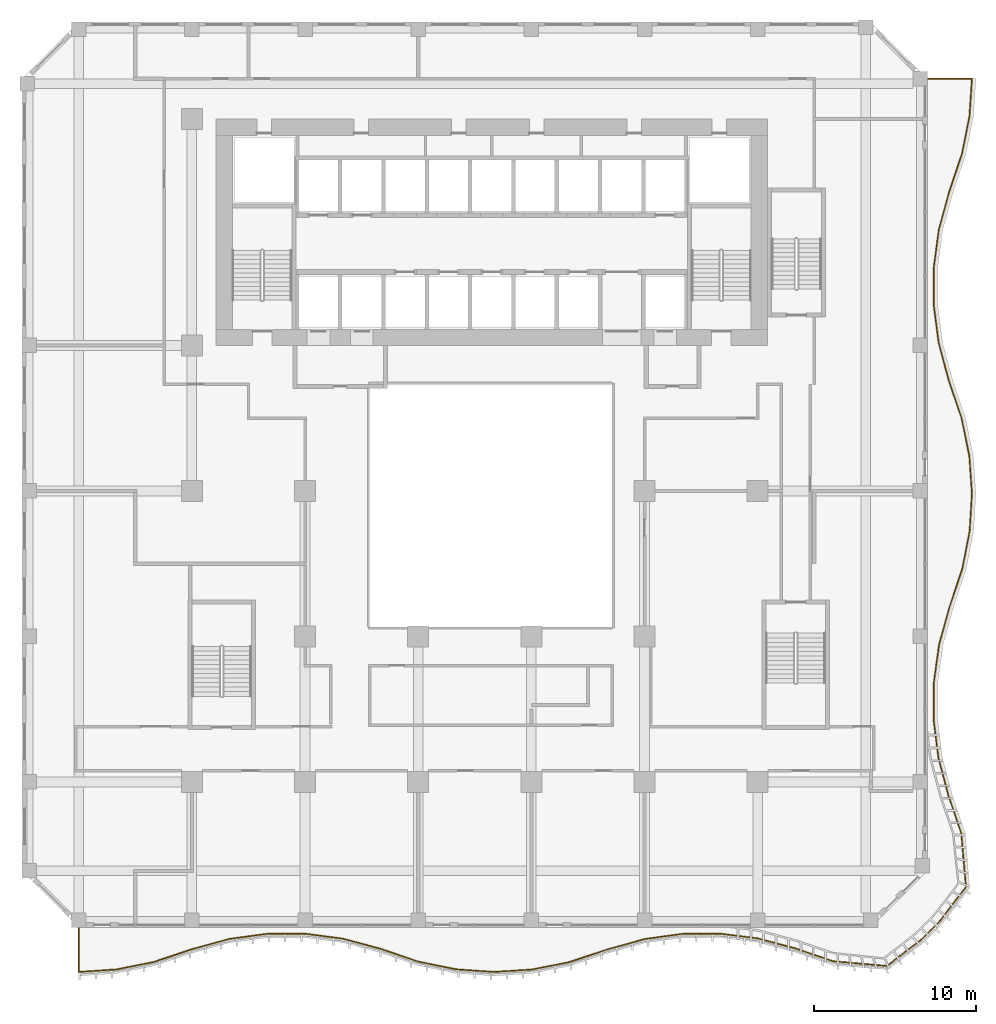
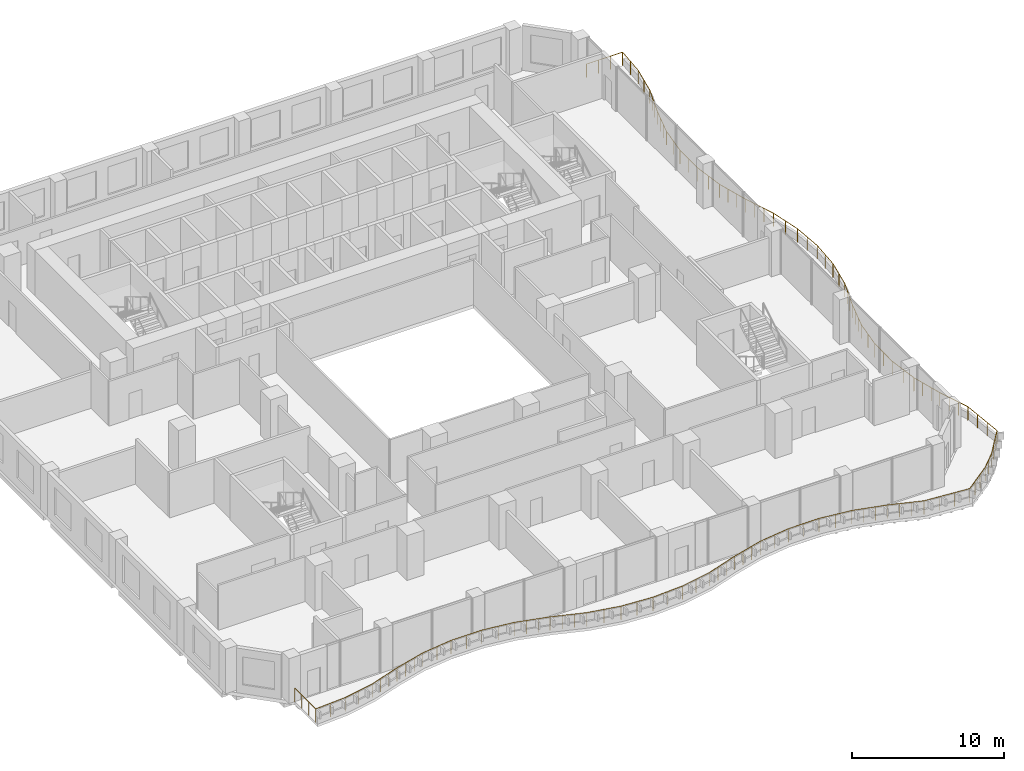
# One storey, part 21 of 23: 1 railing.
"""IFC4 building model written with IfcOpenShell, lengths in metres."""

from ifc_helpers import new_model, si_unit, direction, frame, origin, origin_2d, place, context, subcontext, project, spatial, circle, extrude, material, type_object, element, save


model = new_model("IFC4")

# Units and contexts
model_context = context("Model", 3, precision=1e-05, world=origin(), true_north=direction((0.0, 1.0)))
body_context = subcontext(model_context, "Body", "Model", "MODEL_VIEW")
ifc_project = project(units=[si_unit("LENGTHUNIT", "METRE"), si_unit("AREAUNIT", "SQUARE_METRE"), si_unit("VOLUMEUNIT", "CUBIC_METRE"), si_unit("PLANEANGLEUNIT", "RADIAN"), si_unit("MASSUNIT", "GRAM", prefix="KILO")], contexts=[model_context])

# Site, building, storey
site_placement = place(None, origin())
site = spatial("IfcSite", under=ifc_project, at=site_placement, CompositionType="ELEMENT")
building_placement = place(site_placement, origin())
building = spatial("IfcBuilding", under=site, at=building_placement, Name="Kilnfold Tower and Market Hall", CompositionType="ELEMENT")
storey_placement = place(building_placement, frame((0.0, 0.0, 55.0)))
storey = spatial("IfcBuildingStorey", under=building, at=storey_placement, Name="L12", CompositionType="ELEMENT", Elevation=55.0)

# Railing
ifc_material = material(Name="Stainless steel and laminated glass", Category="steel")
railing_type = type_object("IfcRailingType", Name="GUARD 1100", PredefinedType="GUARDRAIL", material=ifc_material)
railing_placement = place(storey_placement, frame((-24.5, -28.0, 0.0)))
element("IfcRailing", 1, at=railing_placement, inside=storey, type_object=railing_type, Name="Guard balcony L12", PredefinedType="GUARDRAIL", context=body_context, shape_type="SweptSolid", body=[
    extrude(circle(Radius=0.02490234375, at=origin_2d()), frame((0.0, 0.0, 1.0751953125), z_axis=(0.0, -1.0, 0.0), x_axis=(1.0, 0.0, 0.0)), (0.0, 0.0, 1.0), 2.75),
    extrude(circle(Radius=0.02490234375, at=origin_2d()), frame((0.0, -2.75, 1.0751953125), z_axis=(0.997847999073, 0.065569587048, 0.0), x_axis=(-0.065569587048, 0.997847999073, 0.0)), (0.0, 0.0, 1.0), 2.33837890625),
    extrude(circle(Radius=0.02490234375, at=origin_2d()), frame((2.333251953125, -2.5966796875, 1.0751953125), z_axis=(0.980513543113, 0.196451499797, 0.0), x_axis=(-0.196451499797, 0.980513543113, 0.0)), (0.0, 0.0, 1.0), 2.3798828125),
    extrude(circle(Radius=0.02490234375, at=origin_2d()), frame((4.666748046875, -2.129150390625, 1.0751953125), z_axis=(0.947566979947, 0.319557222598, 0.0), x_axis=(-0.319557222598, 0.947566979947, 0.0)), (0.0, 0.0, 1.0), 2.46240234375),
    extrude(circle(Radius=0.02490234375, at=origin_2d()), frame((7.0, -1.34228515625, 1.0751953125), z_axis=(0.964518860934, 0.264013952098, 0.0), x_axis=(-0.264013952098, 0.964518860934, 0.0)), (0.0, 0.0, 1.0), 2.419189453125),
    extrude(circle(Radius=0.02490234375, at=origin_2d()), frame((9.333251953125, -0.70361328125, 1.0751953125), z_axis=(0.991110687467, 0.133039863153, 0.0), x_axis=(-0.133039863153, 0.991110687467, 0.0)), (0.0, 0.0, 1.0), 2.3544921875),
    extrude(circle(Radius=0.02490234375, at=origin_2d()), frame((11.666748046875, -0.390380859375, 1.0751953125), z_axis=(0.999998226339, 0.001883432884, 0.0), x_axis=(-0.001883432884, 0.999998226339, 0.0)), (0.0, 0.0, 1.0), 2.333251953125),
    extrude(circle(Radius=0.02490234375, at=origin_2d()), frame((14.0, -0.385986328125, 1.0751953125), z_axis=(0.991647789279, -0.128975431838, 0.0), x_axis=(0.128975431838, 0.991647789279, 0.0)), (0.0, 0.0, 1.0), 2.352783203125),
    extrude(circle(Radius=0.02490234375, at=origin_2d()), frame((16.333251953125, -0.689453125, 1.0751953125), z_axis=(0.965598198848, -0.260038686319, 0.0), x_axis=(0.260038686319, 0.965598198848, 0.0)), (0.0, 0.0, 1.0), 2.416748046875),
    extrude(circle(Radius=0.02490234375, at=origin_2d()), frame((18.666748046875, -1.31787109375, 1.0751953125), z_axis=(0.94693508606, -0.321424863365, 0.0), x_axis=(0.321424863365, 0.94693508606, 0.0)), (0.0, 0.0, 1.0), 2.464111328125),
    extrude(circle(Radius=0.02490234375, at=origin_2d()), frame((21.0, -2.10986328125, 1.0751953125), z_axis=(0.979691597801, -0.200510282024, 0.0), x_axis=(0.200510282024, 0.979691597801, 0.0)), (0.0, 0.0, 1.0), 2.381591796875),
    extrude(circle(Radius=0.02490234375, at=origin_2d()), frame((23.333251953125, -2.58740234375, 1.0751953125), z_axis=(0.99758116384, -0.069511305202, 0.0), x_axis=(0.069511305202, 0.99758116384, 0.0)), (0.0, 0.0, 1.0), 2.339111328125),
    extrude(circle(Radius=0.02490234375, at=origin_2d()), frame((25.666748046875, -2.75, 1.0751953125), z_axis=(0.998099833602, 0.061617547538, 0.0), x_axis=(-0.061617547538, 0.998099833602, 0.0)), (0.0, 0.0, 1.0), 2.337646484375),
    extrude(circle(Radius=0.02490234375, at=origin_2d()), frame((28.0, -2.60595703125, 1.0751953125), z_axis=(0.981292835756, 0.192521091037, 0.0), x_axis=(-0.192521091037, 0.981292835756, 0.0)), (0.0, 0.0, 1.0), 2.377685546875),
    extrude(circle(Radius=0.02490234375, at=origin_2d()), frame((30.333251953125, -2.148193359375, 1.0751953125), z_axis=(0.9482956499, 0.317388343171, 0.0), x_axis=(-0.317388343171, 0.9482956499, 0.0)), (0.0, 0.0, 1.0), 2.460693359375),
    extrude(circle(Radius=0.02490234375, at=origin_2d()), frame((32.666748046875, -1.3671875, 1.0751953125), z_axis=(0.963406621709, 0.268044177789, 0.0), x_axis=(-0.268044177789, 0.963406621709, 0.0)), (0.0, 0.0, 1.0), 2.421875),
    extrude(circle(Radius=0.02490234375, at=origin_2d()), frame((35.0, -0.718017578125, 1.0751953125), z_axis=(0.990581902319, 0.136921491364, 0.0), x_axis=(-0.136921491364, 0.990581902319, 0.0)), (0.0, 0.0, 1.0), 2.35546875),
    extrude(circle(Radius=0.02490234375, at=origin_2d()), frame((37.333251953125, -0.3955078125, 1.0751953125), z_axis=(0.999982218267, 0.005963484666, 0.0), x_axis=(-0.005963484666, 0.999982218267, 0.0)), (0.0, 0.0, 1.0), 2.33349609375),
    extrude(circle(Radius=0.02490234375, at=origin_2d()), frame((39.666748046875, -0.381591796875, 1.0751953125), z_axis=(0.992157627723, -0.124992966807, 0.0), x_axis=(0.124992966807, 0.992157627723, 0.0)), (0.0, 0.0, 1.0), 2.351806640625),
    extrude(circle(Radius=0.02490234375, at=origin_2d()), frame((42.0, -0.675537109375, 1.0751953125), z_axis=(0.966650012662, -0.256101060172, 0.0), x_axis=(0.256101060172, 0.966650012662, 0.0)), (0.0, 0.0, 1.0), 2.413818359375),
    extrude(circle(Radius=0.02490234375, at=origin_2d()), frame((44.333251953125, -1.293701171875, 1.0751953125), z_axis=(0.946401541537, -0.3229924491, 0.0), x_axis=(0.3229924491, 0.946401541537, 0.0)), (0.0, 0.0, 1.0), 2.465576171875),
    extrude(circle(Radius=0.02490234375, at=origin_2d()), frame((46.666748046875, -2.090087890625, 1.0751953125), z_axis=(0.996172933534, -0.087404156042, 0.0), x_axis=(0.087404156042, 0.996172933534, 0.0)), (0.0, 0.0, 1.0), 3.332275390625),
    extrude(circle(Radius=0.02490234375, at=origin_2d()), frame((49.986328125, -2.38134765625, 1.0751953125), z_axis=(0.793922461341, 0.608019017283, 0.0), x_axis=(-0.608019017283, 0.793922461341, 0.0)), (0.0, 0.0, 1.0), 2.659423828125),
    extrude(circle(Radius=0.02490234375, at=origin_2d()), frame((52.09765625, -0.764404296875, 1.0751953125), z_axis=(0.707106781187, 0.707106781187, 0.0), x_axis=(-0.707106781187, 0.707106781187, 0.0)), (0.0, 0.0, 1.0), 1.650146484375),
    extrude(circle(Radius=0.02490234375, at=origin_2d()), frame((53.264404296875, 0.40234375, 1.0751953125), z_axis=(0.608019017283, 0.793922461341, 0.0), x_axis=(-0.793922461341, 0.608019017283, 0.0)), (0.0, 0.0, 1.0), 2.659423828125),
    extrude(circle(Radius=0.02490234375, at=origin_2d()), frame((54.88134765625, 2.513671875, 1.0751953125), z_axis=(-0.087404156042, 0.996172933534, 0.0), x_axis=(-0.996172933534, -0.087404156042, 0.0)), (0.0, 0.0, 1.0), 3.332275390625),
    extrude(circle(Radius=0.02490234375, at=origin_2d()), frame((54.590087890625, 5.833251953125, 1.0751953125), z_axis=(-0.3229924491, 0.946401541537, 0.0), x_axis=(-0.946401541537, -0.3229924491, 0.0)), (0.0, 0.0, 1.0), 2.465576171875),
    extrude(circle(Radius=0.02490234375, at=origin_2d()), frame((53.793701171875, 8.166748046875, 1.0751953125), z_axis=(-0.256101060172, 0.966650012662, 0.0), x_axis=(-0.966650012662, -0.256101060172, 0.0)), (0.0, 0.0, 1.0), 2.413818359375),
    extrude(circle(Radius=0.02490234375, at=origin_2d()), frame((53.175537109375, 10.5, 1.0751953125), z_axis=(-0.124992966807, 0.992157627723, 0.0), x_axis=(-0.992157627723, -0.124992966807, 0.0)), (0.0, 0.0, 1.0), 2.351806640625),
    extrude(circle(Radius=0.02490234375, at=origin_2d()), frame((52.881591796875, 12.833251953125, 1.0751953125), z_axis=(0.005963484666, 0.999982218267, 0.0), x_axis=(-0.999982218267, 0.005963484666, 0.0)), (0.0, 0.0, 1.0), 2.33349609375),
    extrude(circle(Radius=0.02490234375, at=origin_2d()), frame((52.8955078125, 15.166748046875, 1.0751953125), z_axis=(0.136921491364, 0.990581902319, 0.0), x_axis=(-0.990581902319, 0.136921491364, 0.0)), (0.0, 0.0, 1.0), 2.35546875),
    extrude(circle(Radius=0.02490234375, at=origin_2d()), frame((53.218017578125, 17.5, 1.0751953125), z_axis=(0.268044177789, 0.963406621709, 0.0), x_axis=(-0.963406621709, 0.268044177789, 0.0)), (0.0, 0.0, 1.0), 2.421875),
    extrude(circle(Radius=0.02490234375, at=origin_2d()), frame((53.8671875, 19.833251953125, 1.0751953125), z_axis=(0.317388343171, 0.9482956499, 0.0), x_axis=(-0.9482956499, 0.317388343171, 0.0)), (0.0, 0.0, 1.0), 2.460693359375),
    extrude(circle(Radius=0.02490234375, at=origin_2d()), frame((54.648193359375, 22.166748046875, 1.0751953125), z_axis=(0.192521091037, 0.981292835756, 0.0), x_axis=(-0.981292835756, 0.192521091037, 0.0)), (0.0, 0.0, 1.0), 2.377685546875),
    extrude(circle(Radius=0.02490234375, at=origin_2d()), frame((55.10595703125, 24.5, 1.0751953125), z_axis=(0.061617547538, 0.998099833602, 0.0), x_axis=(-0.998099833602, 0.061617547538, 0.0)), (0.0, 0.0, 1.0), 2.337646484375),
    extrude(circle(Radius=0.02490234375, at=origin_2d()), frame((55.25, 26.833251953125, 1.0751953125), z_axis=(-0.069511305202, 0.99758116384, 0.0), x_axis=(-0.99758116384, -0.069511305202, 0.0)), (0.0, 0.0, 1.0), 2.339111328125),
    extrude(circle(Radius=0.02490234375, at=origin_2d()), frame((55.08740234375, 29.166748046875, 1.0751953125), z_axis=(-0.200510282024, 0.979691597801, 0.0), x_axis=(-0.979691597801, -0.200510282024, 0.0)), (0.0, 0.0, 1.0), 2.381591796875),
    extrude(circle(Radius=0.02490234375, at=origin_2d()), frame((54.60986328125, 31.5, 1.0751953125), z_axis=(-0.321424863365, 0.94693508606, 0.0), x_axis=(-0.94693508606, -0.321424863365, 0.0)), (0.0, 0.0, 1.0), 2.464111328125),
    extrude(circle(Radius=0.02490234375, at=origin_2d()), frame((53.81787109375, 33.833251953125, 1.0751953125), z_axis=(-0.260038686319, 0.965598198848, 0.0), x_axis=(-0.965598198848, -0.260038686319, 0.0)), (0.0, 0.0, 1.0), 2.416748046875),
    extrude(circle(Radius=0.02490234375, at=origin_2d()), frame((53.189453125, 36.166748046875, 1.0751953125), z_axis=(-0.128975431838, 0.991647789279, 0.0), x_axis=(-0.991647789279, -0.128975431838, 0.0)), (0.0, 0.0, 1.0), 2.352783203125),
    extrude(circle(Radius=0.02490234375, at=origin_2d()), frame((52.885986328125, 38.5, 1.0751953125), z_axis=(0.001883432884, 0.999998226339, 0.0), x_axis=(-0.999998226339, 0.001883432884, 0.0)), (0.0, 0.0, 1.0), 2.333251953125),
    extrude(circle(Radius=0.02490234375, at=origin_2d()), frame((52.890380859375, 40.833251953125, 1.0751953125), z_axis=(0.133039863153, 0.991110687467, 0.0), x_axis=(-0.991110687467, 0.133039863153, 0.0)), (0.0, 0.0, 1.0), 2.3544921875),
    extrude(circle(Radius=0.02490234375, at=origin_2d()), frame((53.20361328125, 43.166748046875, 1.0751953125), z_axis=(0.264013952098, 0.964518860934, 0.0), x_axis=(-0.964518860934, 0.264013952098, 0.0)), (0.0, 0.0, 1.0), 2.419189453125),
    extrude(circle(Radius=0.02490234375, at=origin_2d()), frame((53.84228515625, 45.5, 1.0751953125), z_axis=(0.319557222598, 0.947566979947, 0.0), x_axis=(-0.947566979947, 0.319557222598, 0.0)), (0.0, 0.0, 1.0), 2.46240234375),
    extrude(circle(Radius=0.02490234375, at=origin_2d()), frame((54.629150390625, 47.833251953125, 1.0751953125), z_axis=(0.196451499797, 0.980513543113, 0.0), x_axis=(-0.980513543113, 0.196451499797, 0.0)), (0.0, 0.0, 1.0), 2.3798828125),
    extrude(circle(Radius=0.02490234375, at=origin_2d()), frame((55.0966796875, 50.166748046875, 1.0751953125), z_axis=(0.065569587048, 0.997847999073, 0.0), x_axis=(-0.997847999073, 0.065569587048, 0.0)), (0.0, 0.0, 1.0), 2.33837890625),
    extrude(circle(Radius=0.02490234375, at=origin_2d()), frame((55.25, 52.5, 1.0751953125), z_axis=(-1.0, 0.0, 0.0), x_axis=(0.0, -1.0, 0.0)), (0.0, 0.0, 1.0), 2.75),
    extrude(circle(Radius=0.02490234375, at=origin_2d()), origin(), (0.0, 0.0, 1.0), 1.050048828125),
    extrude(circle(Radius=0.02490234375, at=origin_2d()), frame((0.0, -0.916748046875, 0.0)), (0.0, 0.0, 1.0), 1.050048828125),
    extrude(circle(Radius=0.02490234375, at=origin_2d()), frame((0.0, -1.833251953125, 0.0)), (0.0, 0.0, 1.0), 1.050048828125),
    extrude(circle(Radius=0.02490234375, at=origin_2d()), frame((0.0, -2.75, 0.0)), (0.0, 0.0, 1.0), 1.050048828125),
    extrude(circle(Radius=0.02490234375, at=origin_2d()), frame((1.16650390625, -2.67333984375, 0.0)), (0.0, 0.0, 1.0), 1.050048828125),
    extrude(circle(Radius=0.02490234375, at=origin_2d()), frame((2.333251953125, -2.5966796875, 0.0)), (0.0, 0.0, 1.0), 1.050048828125),
    extrude(circle(Radius=0.02490234375, at=origin_2d()), frame((3.5, -2.36279296875, 0.0)), (0.0, 0.0, 1.0), 1.050048828125),
    extrude(circle(Radius=0.02490234375, at=origin_2d()), frame((4.666748046875, -2.129150390625, 0.0)), (0.0, 0.0, 1.0), 1.050048828125),
    extrude(circle(Radius=0.02490234375, at=origin_2d()), frame((5.444580078125, -1.866943359375, 0.0)), (0.0, 0.0, 1.0), 1.050048828125),
    extrude(circle(Radius=0.02490234375, at=origin_2d()), frame((6.22216796875, -1.6044921875, 0.0)), (0.0, 0.0, 1.0), 1.050048828125),
    extrude(circle(Radius=0.02490234375, at=origin_2d()), frame((7.0, -1.34228515625, 0.0)), (0.0, 0.0, 1.0), 1.050048828125),
    extrude(circle(Radius=0.02490234375, at=origin_2d()), frame((7.77783203125, -1.12939453125, 0.0)), (0.0, 0.0, 1.0), 1.050048828125),
    extrude(circle(Radius=0.02490234375, at=origin_2d()), frame((8.555419921875, -0.91650390625, 0.0)), (0.0, 0.0, 1.0), 1.050048828125),
    extrude(circle(Radius=0.02490234375, at=origin_2d()), frame((9.333251953125, -0.70361328125, 0.0)), (0.0, 0.0, 1.0), 1.050048828125),
    extrude(circle(Radius=0.02490234375, at=origin_2d()), frame((10.5, -0.546875, 0.0)), (0.0, 0.0, 1.0), 1.050048828125),
    extrude(circle(Radius=0.02490234375, at=origin_2d()), frame((11.666748046875, -0.390380859375, 0.0)), (0.0, 0.0, 1.0), 1.050048828125),
    extrude(circle(Radius=0.02490234375, at=origin_2d()), frame((12.83349609375, -0.38818359375, 0.0)), (0.0, 0.0, 1.0), 1.050048828125),
    extrude(circle(Radius=0.02490234375, at=origin_2d()), frame((14.0, -0.385986328125, 0.0)), (0.0, 0.0, 1.0), 1.050048828125),
    extrude(circle(Radius=0.02490234375, at=origin_2d()), frame((15.16650390625, -0.53759765625, 0.0)), (0.0, 0.0, 1.0), 1.050048828125),
    extrude(circle(Radius=0.02490234375, at=origin_2d()), frame((16.333251953125, -0.689453125, 0.0)), (0.0, 0.0, 1.0), 1.050048828125),
    extrude(circle(Radius=0.02490234375, at=origin_2d()), frame((17.111083984375, -0.89892578125, 0.0)), (0.0, 0.0, 1.0), 1.050048828125),
    extrude(circle(Radius=0.02490234375, at=origin_2d()), frame((17.888916015625, -1.1083984375, 0.0)), (0.0, 0.0, 1.0), 1.050048828125),
    extrude(circle(Radius=0.02490234375, at=origin_2d()), frame((18.666748046875, -1.31787109375, 0.0)), (0.0, 0.0, 1.0), 1.050048828125),
    extrude(circle(Radius=0.02490234375, at=origin_2d()), frame((19.444580078125, -1.581787109375, 0.0)), (0.0, 0.0, 1.0), 1.050048828125),
    extrude(circle(Radius=0.02490234375, at=origin_2d()), frame((20.22216796875, -1.845947265625, 0.0)), (0.0, 0.0, 1.0), 1.050048828125),
    extrude(circle(Radius=0.02490234375, at=origin_2d()), frame((21.0, -2.10986328125, 0.0)), (0.0, 0.0, 1.0), 1.050048828125),
    extrude(circle(Radius=0.02490234375, at=origin_2d()), frame((22.16650390625, -2.3486328125, 0.0)), (0.0, 0.0, 1.0), 1.050048828125),
    extrude(circle(Radius=0.02490234375, at=origin_2d()), frame((23.333251953125, -2.58740234375, 0.0)), (0.0, 0.0, 1.0), 1.050048828125),
    extrude(circle(Radius=0.02490234375, at=origin_2d()), frame((24.5, -2.668701171875, 0.0)), (0.0, 0.0, 1.0), 1.050048828125),
    extrude(circle(Radius=0.02490234375, at=origin_2d()), frame((25.666748046875, -2.75, 0.0)), (0.0, 0.0, 1.0), 1.050048828125),
    extrude(circle(Radius=0.02490234375, at=origin_2d()), frame((26.83349609375, -2.677978515625, 0.0)), (0.0, 0.0, 1.0), 1.050048828125),
    extrude(circle(Radius=0.02490234375, at=origin_2d()), frame((28.0, -2.60595703125, 0.0)), (0.0, 0.0, 1.0), 1.050048828125),
    extrude(circle(Radius=0.02490234375, at=origin_2d()), frame((29.16650390625, -2.376953125, 0.0)), (0.0, 0.0, 1.0), 1.050048828125),
    extrude(circle(Radius=0.02490234375, at=origin_2d()), frame((30.333251953125, -2.148193359375, 0.0)), (0.0, 0.0, 1.0), 1.050048828125),
    extrude(circle(Radius=0.02490234375, at=origin_2d()), frame((31.111083984375, -1.887939453125, 0.0)), (0.0, 0.0, 1.0), 1.050048828125),
    extrude(circle(Radius=0.02490234375, at=origin_2d()), frame((31.888916015625, -1.62744140625, 0.0)), (0.0, 0.0, 1.0), 1.050048828125),
    extrude(circle(Radius=0.02490234375, at=origin_2d()), frame((32.666748046875, -1.3671875, 0.0)), (0.0, 0.0, 1.0), 1.050048828125),
    extrude(circle(Radius=0.02490234375, at=origin_2d()), frame((33.444580078125, -1.15087890625, 0.0)), (0.0, 0.0, 1.0), 1.050048828125),
    extrude(circle(Radius=0.02490234375, at=origin_2d()), frame((34.22216796875, -0.934326171875, 0.0)), (0.0, 0.0, 1.0), 1.050048828125),
    extrude(circle(Radius=0.02490234375, at=origin_2d()), frame((35.0, -0.718017578125, 0.0)), (0.0, 0.0, 1.0), 1.050048828125),
    extrude(circle(Radius=0.02490234375, at=origin_2d()), frame((36.16650390625, -0.556640625, 0.0)), (0.0, 0.0, 1.0), 1.050048828125),
    extrude(circle(Radius=0.02490234375, at=origin_2d()), frame((37.333251953125, -0.3955078125, 0.0)), (0.0, 0.0, 1.0), 1.050048828125),
    extrude(circle(Radius=0.02490234375, at=origin_2d()), frame((38.5, -0.388671875, 0.0)), (0.0, 0.0, 1.0), 1.050048828125),
    extrude(circle(Radius=0.02490234375, at=origin_2d()), frame((39.666748046875, -0.381591796875, 0.0)), (0.0, 0.0, 1.0), 1.050048828125),
    extrude(circle(Radius=0.02490234375, at=origin_2d()), frame((40.83349609375, -0.528564453125, 0.0)), (0.0, 0.0, 1.0), 1.050048828125),
    extrude(circle(Radius=0.02490234375, at=origin_2d()), frame((42.0, -0.675537109375, 0.0)), (0.0, 0.0, 1.0), 1.050048828125),
    extrude(circle(Radius=0.02490234375, at=origin_2d()), frame((42.77783203125, -0.881591796875, 0.0)), (0.0, 0.0, 1.0), 1.050048828125),
    extrude(circle(Radius=0.02490234375, at=origin_2d()), frame((43.555419921875, -1.087646484375, 0.0)), (0.0, 0.0, 1.0), 1.050048828125),
    extrude(circle(Radius=0.02490234375, at=origin_2d()), frame((44.333251953125, -1.293701171875, 0.0)), (0.0, 0.0, 1.0), 1.050048828125),
    extrude(circle(Radius=0.02490234375, at=origin_2d()), frame((45.111083984375, -1.55908203125, 0.0)), (0.0, 0.0, 1.0), 1.050048828125),
    extrude(circle(Radius=0.02490234375, at=origin_2d()), frame((45.888916015625, -1.82470703125, 0.0)), (0.0, 0.0, 1.0), 1.050048828125),
    extrude(circle(Radius=0.02490234375, at=origin_2d()), frame((46.666748046875, -2.090087890625, 0.0)), (0.0, 0.0, 1.0), 1.050048828125),
    extrude(circle(Radius=0.02490234375, at=origin_2d()), frame((47.773193359375, -2.187255859375, 0.0)), (0.0, 0.0, 1.0), 1.050048828125),
    extrude(circle(Radius=0.02490234375, at=origin_2d()), frame((48.8798828125, -2.2841796875, 0.0)), (0.0, 0.0, 1.0), 1.050048828125),
    extrude(circle(Radius=0.02490234375, at=origin_2d()), frame((49.986328125, -2.38134765625, 0.0)), (0.0, 0.0, 1.0), 1.050048828125),
    extrude(circle(Radius=0.02490234375, at=origin_2d()), frame((50.690185546875, -1.84228515625, 0.0)), (0.0, 0.0, 1.0), 1.050048828125),
    extrude(circle(Radius=0.02490234375, at=origin_2d()), frame((51.393798828125, -1.303466796875, 0.0)), (0.0, 0.0, 1.0), 1.050048828125),
    extrude(circle(Radius=0.02490234375, at=origin_2d()), frame((52.09765625, -0.764404296875, 0.0)), (0.0, 0.0, 1.0), 1.050048828125),
    extrude(circle(Radius=0.02490234375, at=origin_2d()), frame((52.68115234375, -0.18115234375, 0.0)), (0.0, 0.0, 1.0), 1.050048828125),
    extrude(circle(Radius=0.02490234375, at=origin_2d()), frame((53.264404296875, 0.40234375, 0.0)), (0.0, 0.0, 1.0), 1.050048828125),
    extrude(circle(Radius=0.02490234375, at=origin_2d()), frame((53.803466796875, 1.106201171875, 0.0)), (0.0, 0.0, 1.0), 1.050048828125),
    extrude(circle(Radius=0.02490234375, at=origin_2d()), frame((54.34228515625, 1.809814453125, 0.0)), (0.0, 0.0, 1.0), 1.050048828125),
    extrude(circle(Radius=0.02490234375, at=origin_2d()), frame((54.88134765625, 2.513671875, 0.0)), (0.0, 0.0, 1.0), 1.050048828125),
    extrude(circle(Radius=0.02490234375, at=origin_2d()), frame((54.7841796875, 3.6201171875, 0.0)), (0.0, 0.0, 1.0), 1.050048828125),
    extrude(circle(Radius=0.02490234375, at=origin_2d()), frame((54.687255859375, 4.726806640625, 0.0)), (0.0, 0.0, 1.0), 1.050048828125),
    extrude(circle(Radius=0.02490234375, at=origin_2d()), frame((54.590087890625, 5.833251953125, 0.0)), (0.0, 0.0, 1.0), 1.050048828125),
    extrude(circle(Radius=0.02490234375, at=origin_2d()), frame((54.32470703125, 6.611083984375, 0.0)), (0.0, 0.0, 1.0), 1.050048828125),
    extrude(circle(Radius=0.02490234375, at=origin_2d()), frame((54.05908203125, 7.388916015625, 0.0)), (0.0, 0.0, 1.0), 1.050048828125),
    extrude(circle(Radius=0.02490234375, at=origin_2d()), frame((53.793701171875, 8.166748046875, 0.0)), (0.0, 0.0, 1.0), 1.050048828125),
    extrude(circle(Radius=0.02490234375, at=origin_2d()), frame((53.587646484375, 8.944580078125, 0.0)), (0.0, 0.0, 1.0), 1.050048828125),
    extrude(circle(Radius=0.02490234375, at=origin_2d()), frame((53.381591796875, 9.72216796875, 0.0)), (0.0, 0.0, 1.0), 1.050048828125),
    extrude(circle(Radius=0.02490234375, at=origin_2d()), frame((53.175537109375, 10.5, 0.0)), (0.0, 0.0, 1.0), 1.050048828125),
    extrude(circle(Radius=0.02490234375, at=origin_2d()), frame((53.028564453125, 11.66650390625, 0.0)), (0.0, 0.0, 1.0), 1.050048828125),
    extrude(circle(Radius=0.02490234375, at=origin_2d()), frame((52.881591796875, 12.833251953125, 0.0)), (0.0, 0.0, 1.0), 1.050048828125),
    extrude(circle(Radius=0.02490234375, at=origin_2d()), frame((52.888671875, 14.0, 0.0)), (0.0, 0.0, 1.0), 1.050048828125),
    extrude(circle(Radius=0.02490234375, at=origin_2d()), frame((52.8955078125, 15.166748046875, 0.0)), (0.0, 0.0, 1.0), 1.050048828125),
    extrude(circle(Radius=0.02490234375, at=origin_2d()), frame((53.056640625, 16.33349609375, 0.0)), (0.0, 0.0, 1.0), 1.050048828125),
    extrude(circle(Radius=0.02490234375, at=origin_2d()), frame((53.218017578125, 17.5, 0.0)), (0.0, 0.0, 1.0), 1.050048828125),
    extrude(circle(Radius=0.02490234375, at=origin_2d()), frame((53.434326171875, 18.27783203125, 0.0)), (0.0, 0.0, 1.0), 1.050048828125),
    extrude(circle(Radius=0.02490234375, at=origin_2d()), frame((53.65087890625, 19.055419921875, 0.0)), (0.0, 0.0, 1.0), 1.050048828125),
    extrude(circle(Radius=0.02490234375, at=origin_2d()), frame((53.8671875, 19.833251953125, 0.0)), (0.0, 0.0, 1.0), 1.050048828125),
    extrude(circle(Radius=0.02490234375, at=origin_2d()), frame((54.12744140625, 20.611083984375, 0.0)), (0.0, 0.0, 1.0), 1.050048828125),
    extrude(circle(Radius=0.02490234375, at=origin_2d()), frame((54.387939453125, 21.388916015625, 0.0)), (0.0, 0.0, 1.0), 1.050048828125),
    extrude(circle(Radius=0.02490234375, at=origin_2d()), frame((54.648193359375, 22.166748046875, 0.0)), (0.0, 0.0, 1.0), 1.050048828125),
    extrude(circle(Radius=0.02490234375, at=origin_2d()), frame((54.876953125, 23.33349609375, 0.0)), (0.0, 0.0, 1.0), 1.050048828125),
    extrude(circle(Radius=0.02490234375, at=origin_2d()), frame((55.10595703125, 24.5, 0.0)), (0.0, 0.0, 1.0), 1.050048828125),
    extrude(circle(Radius=0.02490234375, at=origin_2d()), frame((55.177978515625, 25.66650390625, 0.0)), (0.0, 0.0, 1.0), 1.050048828125),
    extrude(circle(Radius=0.02490234375, at=origin_2d()), frame((55.25, 26.833251953125, 0.0)), (0.0, 0.0, 1.0), 1.050048828125),
    extrude(circle(Radius=0.02490234375, at=origin_2d()), frame((55.168701171875, 28.0, 0.0)), (0.0, 0.0, 1.0), 1.050048828125),
    extrude(circle(Radius=0.02490234375, at=origin_2d()), frame((55.08740234375, 29.166748046875, 0.0)), (0.0, 0.0, 1.0), 1.050048828125),
    extrude(circle(Radius=0.02490234375, at=origin_2d()), frame((54.8486328125, 30.33349609375, 0.0)), (0.0, 0.0, 1.0), 1.050048828125),
    extrude(circle(Radius=0.02490234375, at=origin_2d()), frame((54.60986328125, 31.5, 0.0)), (0.0, 0.0, 1.0), 1.050048828125),
    extrude(circle(Radius=0.02490234375, at=origin_2d()), frame((54.345947265625, 32.27783203125, 0.0)), (0.0, 0.0, 1.0), 1.050048828125),
    extrude(circle(Radius=0.02490234375, at=origin_2d()), frame((54.081787109375, 33.055419921875, 0.0)), (0.0, 0.0, 1.0), 1.050048828125),
    extrude(circle(Radius=0.02490234375, at=origin_2d()), frame((53.81787109375, 33.833251953125, 0.0)), (0.0, 0.0, 1.0), 1.050048828125),
    extrude(circle(Radius=0.02490234375, at=origin_2d()), frame((53.6083984375, 34.611083984375, 0.0)), (0.0, 0.0, 1.0), 1.050048828125),
    extrude(circle(Radius=0.02490234375, at=origin_2d()), frame((53.39892578125, 35.388916015625, 0.0)), (0.0, 0.0, 1.0), 1.050048828125),
    extrude(circle(Radius=0.02490234375, at=origin_2d()), frame((53.189453125, 36.166748046875, 0.0)), (0.0, 0.0, 1.0), 1.050048828125),
    extrude(circle(Radius=0.02490234375, at=origin_2d()), frame((53.03759765625, 37.33349609375, 0.0)), (0.0, 0.0, 1.0), 1.050048828125),
    extrude(circle(Radius=0.02490234375, at=origin_2d()), frame((52.885986328125, 38.5, 0.0)), (0.0, 0.0, 1.0), 1.050048828125),
    extrude(circle(Radius=0.02490234375, at=origin_2d()), frame((52.88818359375, 39.66650390625, 0.0)), (0.0, 0.0, 1.0), 1.050048828125),
    extrude(circle(Radius=0.02490234375, at=origin_2d()), frame((52.890380859375, 40.833251953125, 0.0)), (0.0, 0.0, 1.0), 1.050048828125),
    extrude(circle(Radius=0.02490234375, at=origin_2d()), frame((53.046875, 42.0, 0.0)), (0.0, 0.0, 1.0), 1.050048828125),
    extrude(circle(Radius=0.02490234375, at=origin_2d()), frame((53.20361328125, 43.166748046875, 0.0)), (0.0, 0.0, 1.0), 1.050048828125),
    extrude(circle(Radius=0.02490234375, at=origin_2d()), frame((53.41650390625, 43.944580078125, 0.0)), (0.0, 0.0, 1.0), 1.050048828125),
    extrude(circle(Radius=0.02490234375, at=origin_2d()), frame((53.62939453125, 44.72216796875, 0.0)), (0.0, 0.0, 1.0), 1.050048828125),
    extrude(circle(Radius=0.02490234375, at=origin_2d()), frame((53.84228515625, 45.5, 0.0)), (0.0, 0.0, 1.0), 1.050048828125),
    extrude(circle(Radius=0.02490234375, at=origin_2d()), frame((54.1044921875, 46.27783203125, 0.0)), (0.0, 0.0, 1.0), 1.050048828125),
    extrude(circle(Radius=0.02490234375, at=origin_2d()), frame((54.366943359375, 47.055419921875, 0.0)), (0.0, 0.0, 1.0), 1.050048828125),
    extrude(circle(Radius=0.02490234375, at=origin_2d()), frame((54.629150390625, 47.833251953125, 0.0)), (0.0, 0.0, 1.0), 1.050048828125),
    extrude(circle(Radius=0.02490234375, at=origin_2d()), frame((54.86279296875, 49.0, 0.0)), (0.0, 0.0, 1.0), 1.050048828125),
    extrude(circle(Radius=0.02490234375, at=origin_2d()), frame((55.0966796875, 50.166748046875, 0.0)), (0.0, 0.0, 1.0), 1.050048828125),
    extrude(circle(Radius=0.02490234375, at=origin_2d()), frame((55.17333984375, 51.33349609375, 0.0)), (0.0, 0.0, 1.0), 1.050048828125),
    extrude(circle(Radius=0.02490234375, at=origin_2d()), frame((55.25, 52.5, 0.0)), (0.0, 0.0, 1.0), 1.050048828125),
    extrude(circle(Radius=0.02490234375, at=origin_2d()), frame((54.333251953125, 52.5, 0.0)), (0.0, 0.0, 1.0), 1.050048828125),
    extrude(circle(Radius=0.02490234375, at=origin_2d()), frame((53.416748046875, 52.5, 0.0)), (0.0, 0.0, 1.0), 1.050048828125),
    extrude(circle(Radius=0.02490234375, at=origin_2d()), frame((52.5, 52.5, 0.0)), (0.0, 0.0, 1.0), 1.050048828125),
])

save(model, "model.ifc")
